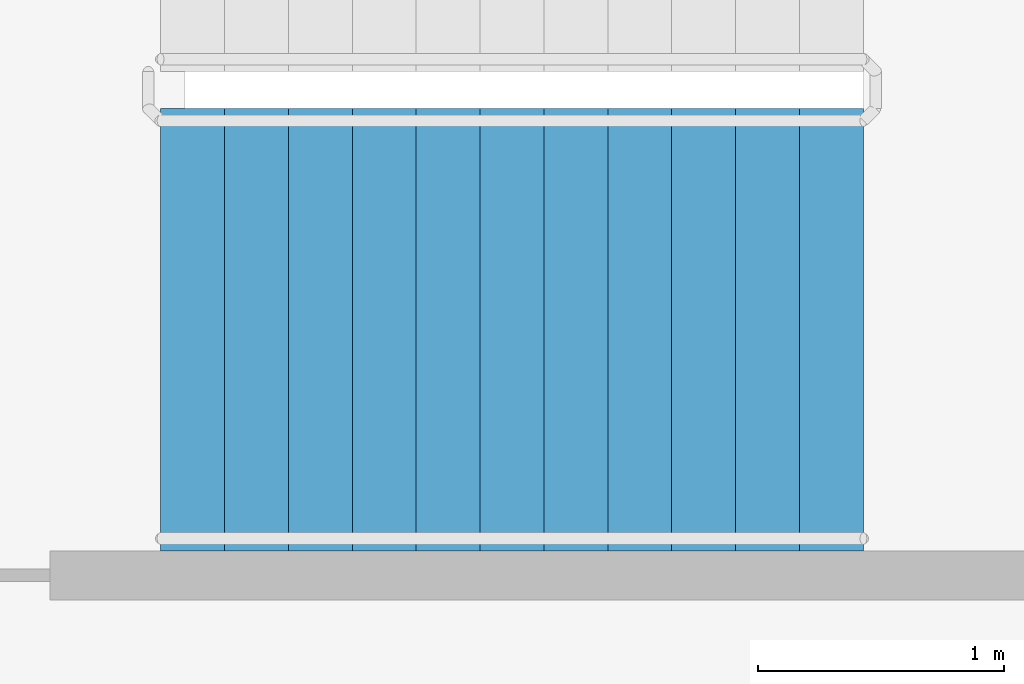
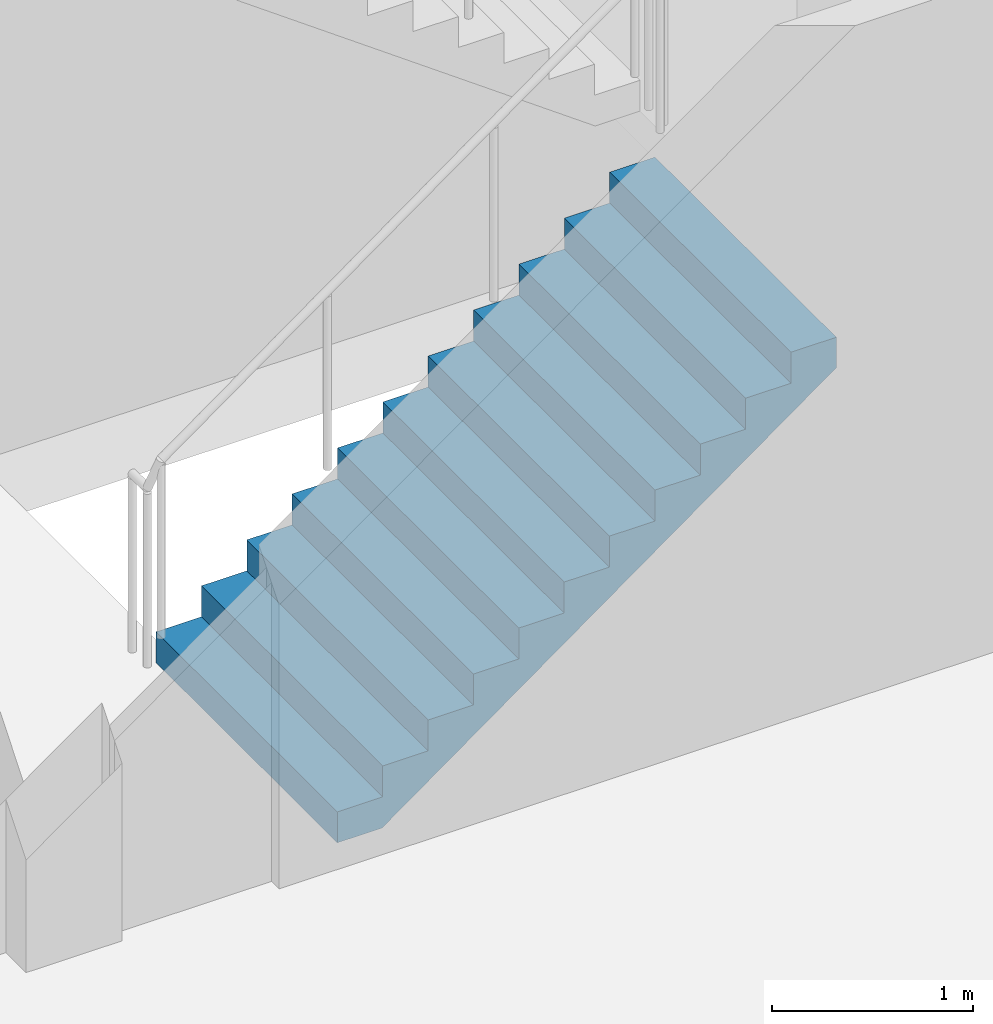
# One storey, part 34 of 49: 1 stair flight, 1 element without a shape of its own.
"""IFC4 building model written with IfcOpenShell, lengths in metres."""

import ifcopenshell
import ifcopenshell.guid

model = None  # the IFC model being written
_history = None  # IfcOwnerHistory: only IFC2X3 demands one
_inside = {}  # id of a spatial element -> (the spatial element, [elements in it])
_under = {}  # id of a project, library or spatial element -> (it, [spatial elements below it])
_declared = {}  # id of a project -> (the project, [libraries it declares])
_typed = {}  # id of a type object -> (the type object, [elements of that type])
_made_of = {}  # id of a material, layer set ... -> (it, [elements and type objects made of it])


def new_model(schema):
    """Start an empty IFC model of exactly this schema.

    Asked for "IFC4X3", IfcOpenShell would pick the latest addendum, in which some entities
    have other attributes; the version numbers below select the first issue.
    IFC2X3 requires an IfcOwnerHistory on every rooted entity: one is made here for all.
    """
    global model, _history
    if schema == "IFC4X3":
        model = ifcopenshell.file(schema_version=(4, 3, 0, 0))
    else:
        model = ifcopenshell.file(schema=schema)
    _inside.clear()
    _under.clear()
    _declared.clear()
    _typed.clear()
    _made_of.clear()
    _history = None
    if model.schema == "IFC2X3":
        org = make("IfcOrganization", Name="unknown")
        user = make(
            "IfcPersonAndOrganization",
            ThePerson=make("IfcPerson", FamilyName="unknown"),
            TheOrganization=org,
        )
        app = make(
            "IfcApplication",
            ApplicationDeveloper=org,
            Version="unknown",
            ApplicationFullName="unknown",
            ApplicationIdentifier="unknown",
        )
        _history = make(
            "IfcOwnerHistory",
            OwningUser=user,
            OwningApplication=app,
            ChangeAction="ADDED",
            CreationDate=0,
        )
    return model


def make(cls, **values):
    """One entity of the class cls with the attributes given. An attribute that is None is left unset."""
    return model.create_entity(
        cls, **{name: value for name, value in values.items() if value is not None}
    )


def rooted(cls, **values):
    """An entity with a GlobalId (a new one), such as an element, a storey or a relation."""
    return make(cls, GlobalId=ifcopenshell.guid.new(), OwnerHistory=_history, **values)


def si_unit(unit_type, name, prefix=None):
    """IfcSIUnit, for example si_unit("LENGTHUNIT", "METRE", prefix="MILLI")."""
    return make("IfcSIUnit", UnitType=unit_type, Prefix=prefix, Name=name)


def assignment(units):
    """IfcUnitAssignment: the units of a project."""
    return None if units is None else make("IfcUnitAssignment", Units=units)


def point(xyz):
    """IfcCartesianPoint."""
    return None if xyz is None else make("IfcCartesianPoint", Coordinates=xyz)


def direction(xyz):
    """IfcDirection."""
    return None if xyz is None else make("IfcDirection", DirectionRatios=xyz)


def frame(location, z_axis=None, x_axis=None):
    """IfcAxis2Placement3D, a coordinate frame: its origin and axes. An axis left out is left unset."""
    return make(
        "IfcAxis2Placement3D",
        Location=point(location),
        Axis=direction(z_axis),
        RefDirection=direction(x_axis),
    )


def origin():
    """The frame at (0, 0, 0) with its axes left unset."""
    return frame((0.0, 0.0, 0.0))


def place(relative_to, where):
    """IfcLocalPlacement: puts the frame where relative to a parent placement (None: the world)."""
    return make(
        "IfcLocalPlacement", PlacementRelTo=relative_to, RelativePlacement=where
    )


def context(
    kind, dimensions, precision=None, world=None, true_north=None, identifier=None
):
    """IfcGeometricRepresentationContext, for example the 3D "Model" context."""
    return make(
        "IfcGeometricRepresentationContext",
        ContextIdentifier=identifier,
        ContextType=kind,
        CoordinateSpaceDimension=dimensions,
        Precision=precision,
        WorldCoordinateSystem=world,
        TrueNorth=true_north,
    )


def subcontext(parent, identifier, kind, view, scale=None):
    """IfcGeometricRepresentationSubContext, for example "Body" below "Model"."""
    return make(
        "IfcGeometricRepresentationSubContext",
        ContextIdentifier=identifier,
        ContextType=kind,
        ParentContext=parent,
        TargetScale=scale,
        TargetView=view,
    )


def project(units=None, contexts=None):
    """IfcProject with its units and contexts."""
    return rooted(
        "IfcProject",
        Name="project",
        RepresentationContexts=contexts,
        UnitsInContext=assignment(units),
    )


def spatial(cls, under=None, at=None, **own):
    """A site, building, storey or space (cls), placed at a placement, below another one or the project."""
    s = rooted(cls, ObjectPlacement=at, **own)
    if under is not None:
        _under.setdefault(under.id(), (under, []))[1].append(s)
    return s


def faces_of(points, faces, orient=None, outer=None):
    """IfcFace entities. A face is a list of loops; a loop is a list of indices into points, from 0.

    orient and outer hold one flag for each loop. By default every Orientation is true, the
    first loop of a face is its IfcFaceOuterBound and the others are IfcFaceBound.
    """
    made = []
    for i, loops in enumerate(faces):
        bounds = []
        for j, loop in enumerate(loops):
            is_outer = j == 0 if outer is None else outer[i][j]
            bounds.append(
                make(
                    "IfcFaceOuterBound" if is_outer else "IfcFaceBound",
                    Bound=make("IfcPolyLoop", Polygon=[points[k] for k in loop]),
                    Orientation=True if orient is None else orient[i][j],
                )
            )
        made.append(make("IfcFace", Bounds=bounds))
    return made


def faceted_brep(points, faces, orient=None, outer=None, voids=None):
    """IfcFacetedBrep: a solid bounded by flat faces; with voids (closed shells), ...WithVoids."""
    shared = [point(p) for p in points]
    hull = make("IfcClosedShell", CfsFaces=faces_of(shared, faces, orient, outer))
    if voids is None:
        return make("IfcFacetedBrep", Outer=hull)
    return make(
        "IfcFacetedBrepWithVoids",
        Outer=hull,
        Voids=[
            make(cls, CfsFaces=faces_of(shared, fs, o, b)) for cls, fs, o, b in voids
        ],
    )


def shape(context_of_items, identifier, shape_type, items):
    """IfcShapeRepresentation: the items that make up one representation, for example the "Body"."""
    return make(
        "IfcShapeRepresentation",
        ContextOfItems=context_of_items,
        RepresentationIdentifier=identifier,
        RepresentationType=shape_type,
        Items=items,
    )


def material(Name=None, Category=None):
    """IfcMaterial."""
    return make("IfcMaterial", Name=Name, Category=Category)


def made_of(thing, what):
    """Note that an element or type object is made of a material, layer set ...; save() writes the relation."""
    if what is not None:
        _made_of.setdefault(what.id(), (what, []))[1].append(thing)
    return thing


def type_object(cls, material=None, **own):
    """A type object (cls), such as IfcWallType, which elements share."""
    return made_of(rooted(cls, **own), material)


def element(
    cls,
    number,
    at=None,
    inside=None,
    cuts=None,
    type_object=None,
    material=None,
    context=None,
    identifier="Body",
    shape_type=None,
    held_by="IfcProductDefinitionShape",
    body=None,
    shapes=None,
    **own,
):
    """One element of the class cls, such as IfcWall. Its Tag is "e" and its number.

    at: its placement. inside: the storey or other place that contains it. cuts: it is an
    opening in that element (IfcRelVoidsElement). A single representation is given by context,
    identifier, shape_type and body (its items); several are given by shapes. held_by: the class
    of the entity that holds the representations. save() writes the other relations.
    """
    e = rooted(cls, Tag="e%d" % number, ObjectPlacement=at, **own)
    if body is not None:
        shapes = [shape(context, identifier, shape_type, body)]
    if shapes is not None:
        e.Representation = make(held_by, Representations=shapes)
    if inside is not None:
        _inside.setdefault(inside.id(), (inside, []))[1].append(e)
    if cuts is not None:
        rooted(
            "IfcRelVoidsElement", RelatingBuildingElement=cuts, RelatedOpeningElement=e
        )
    if type_object is not None:
        _typed.setdefault(type_object.id(), (type_object, []))[1].append(e)
    return made_of(e, material)


def aggregate(whole, parts):
    """IfcRelAggregates: a whole, such as a stair, and the parts it consists of."""
    return rooted("IfcRelAggregates", RelatingObject=whole, RelatedObjects=parts)


def save(model, path):
    """Write the relations noted so far, then the file.

    IfcRelAggregates (storeys below a building ...), IfcRelContainedInSpatialStructure (elements
    in a storey), IfcRelDefinesByType, IfcRelAssociatesMaterial and IfcRelDeclares: one each for
    every whole, place, type object, material and project.
    """
    for whole, parts in _under.values():
        aggregate(whole, parts)
    for where, things in _inside.values():
        rooted(
            "IfcRelContainedInSpatialStructure",
            RelatedElements=things,
            RelatingStructure=where,
        )
    for kind, things in _typed.values():
        rooted("IfcRelDefinesByType", RelatedObjects=things, RelatingType=kind)
    for what, things in _made_of.values():
        rooted("IfcRelAssociatesMaterial", RelatedObjects=things, RelatingMaterial=what)
    for by, libraries in _declared.values():
        rooted("IfcRelDeclares", RelatingContext=by, RelatedDefinitions=libraries)
    model.write(path)


model = new_model("IFC4")

# Units and contexts
model_context = context("Model", 3, precision=1e-05, world=origin(), true_north=direction((0.0, 1.0)))
body_context = subcontext(model_context, "Body", "Model", "MODEL_VIEW")
ifc_project = project(units=[si_unit("LENGTHUNIT", "METRE"), si_unit("AREAUNIT", "SQUARE_METRE"), si_unit("VOLUMEUNIT", "CUBIC_METRE"), si_unit("PLANEANGLEUNIT", "RADIAN"), si_unit("MASSUNIT", "GRAM", prefix="KILO")], contexts=[model_context])

# Site, building, storey
site_placement = place(None, origin())
site = spatial("IfcSite", under=ifc_project, at=site_placement, CompositionType="ELEMENT")
building_placement = place(site_placement, origin())
building = spatial("IfcBuilding", under=site, at=building_placement, Name="Ipe Terrace Towers", CompositionType="ELEMENT")
storey_placement = place(building_placement, frame((0.0, 0.0, 20.0)))
storey = spatial("IfcBuildingStorey", under=building, at=storey_placement, Name="L04", CompositionType="ELEMENT", Elevation=20.0)

# Stair, stair flight
ifc_material_1 = material(Name="Concrete C30/37", Category="concrete")
stair_type = type_object("IfcStairType", Name="Protected exit stair", PredefinedType="HALF_TURN_STAIR", material=ifc_material_1)
stair_placement = place(storey_placement, origin())
stair = element("IfcStair", 1, at=stair_placement, inside=storey, type_object=stair_type, Name="L04 Podium exit stair PS5", PredefinedType="HALF_TURN_STAIR")
ifc_material_2 = material(Name="Concrete C30/37", Category="concrete")
stair_flight_type = type_object("IfcStairFlightType", Name="Exit stair flight 1800", PredefinedType="STRAIGHT", material=ifc_material_2)
stair_flight_placement = place(storey_placement, frame((-3.75, -22.5, 0.0), z_axis=(0.0, 0.0, 1.0), x_axis=(1.0, 0.0, 0.0)))
stair_flight = element("IfcStairFlight", 2, at=stair_flight_placement, type_object=stair_flight_type, Name="PS5 flight 1", NumberOfRisers=12, NumberOfTreads=11, PredefinedType="STRAIGHT", RiserHeight=0.1875, TreadLength=0.26, context=body_context, shape_type="Brep", body=[
    faceted_brep([(0.25634765625, -0.89990234375, 0.0), (2.860107421875, -0.89990234375, 1.877685546875), (2.860107421875, -0.89990234375, 2.0625), (2.60009765625, -0.89990234375, 2.0625), (2.60009765625, -0.89990234375, 1.875), (2.340087890625, -0.89990234375, 1.875), (2.340087890625, -0.89990234375, 1.6875), (2.080078125, -0.89990234375, 1.6875), (2.080078125, -0.89990234375, 1.5), (1.820068359375, -0.89990234375, 1.5), (1.820068359375, -0.89990234375, 1.3125), (1.56005859375, -0.89990234375, 1.3125), (1.56005859375, -0.89990234375, 1.125), (1.300048828125, -0.89990234375, 1.125), (1.300048828125, -0.89990234375, 0.9375), (1.0400390625, -0.89990234375, 0.9375), (1.0400390625, -0.89990234375, 0.75), (0.780029296875, -0.89990234375, 0.75), (0.780029296875, -0.89990234375, 0.5625), (0.52001953125, -0.89990234375, 0.5625), (0.52001953125, -0.89990234375, 0.375), (0.260009765625, -0.89990234375, 0.375), (0.260009765625, -0.89990234375, 0.1875), (0.0, -0.89990234375, 0.1875), (0.0, -0.89990234375, 0.0), (0.0, 0.89990234375, 0.0), (0.0, 0.89990234375, 0.1875), (0.260009765625, 0.89990234375, 0.1875), (0.260009765625, 0.89990234375, 0.375), (0.52001953125, 0.89990234375, 0.375), (0.52001953125, 0.89990234375, 0.5625), (0.780029296875, 0.89990234375, 0.5625), (0.780029296875, 0.89990234375, 0.75), (1.0400390625, 0.89990234375, 0.75), (1.0400390625, 0.89990234375, 0.9375), (1.300048828125, 0.89990234375, 0.9375), (1.300048828125, 0.89990234375, 1.125), (1.56005859375, 0.89990234375, 1.125), (1.56005859375, 0.89990234375, 1.3125), (1.820068359375, 0.89990234375, 1.3125), (1.820068359375, 0.89990234375, 1.5), (2.080078125, 0.89990234375, 1.5), (2.080078125, 0.89990234375, 1.6875), (2.340087890625, 0.89990234375, 1.6875), (2.340087890625, 0.89990234375, 1.875), (2.60009765625, 0.89990234375, 1.875), (2.60009765625, 0.89990234375, 2.0625), (2.860107421875, 0.89990234375, 2.0625), (2.860107421875, 0.89990234375, 1.877685546875), (0.25634765625, 0.89990234375, 0.0), (0.0, -0.300048828125, 0.1875), (0.0, -0.1201171875, 0.1875), (0.0, -0.06005859375, 0.1875), (0.0, -0.030029296875, 0.1875), (0.0, -0.010009765625, 0.1875), (0.0, 0.0, 0.1875), (0.0, 0.010009765625, 0.1875), (0.0, 0.030029296875, 0.1875), (0.0, 0.06005859375, 0.1875), (0.0, 0.1201171875, 0.1875), (0.0, 0.300048828125, 0.1875), (0.0, 0.300048828125, 0.0), (0.0, 0.1201171875, 0.0), (0.0, 0.06005859375, 0.0), (0.0, 0.030029296875, 0.0), (0.0, 0.010009765625, 0.0), (0.0, 0.0, 0.0), (0.0, -0.010009765625, 0.0), (0.0, -0.030029296875, 0.0), (0.0, -0.06005859375, 0.0), (0.0, -0.1201171875, 0.0), (0.0, -0.300048828125, 0.0), (0.260009765625, -0.300048828125, 0.1875), (0.260009765625, -0.1201171875, 0.1875), (0.260009765625, -0.06005859375, 0.1875), (0.260009765625, -0.030029296875, 0.1875), (0.260009765625, -0.010009765625, 0.1875), (0.260009765625, 0.0, 0.1875), (0.260009765625, 0.010009765625, 0.1875), (0.260009765625, 0.030029296875, 0.1875), (0.260009765625, 0.06005859375, 0.1875), (0.260009765625, 0.1201171875, 0.1875), (0.260009765625, 0.300048828125, 0.1875), (0.260009765625, -0.300048828125, 0.375), (0.260009765625, -0.1201171875, 0.375), (0.260009765625, -0.06005859375, 0.375), (0.260009765625, -0.030029296875, 0.375), (0.260009765625, -0.010009765625, 0.375), (0.260009765625, 0.0, 0.375), (0.260009765625, 0.010009765625, 0.375), (0.260009765625, 0.030029296875, 0.375), (0.260009765625, 0.06005859375, 0.375), (0.260009765625, 0.1201171875, 0.375), (0.260009765625, 0.300048828125, 0.375), (0.52001953125, -0.300048828125, 0.375), (0.52001953125, -0.1201171875, 0.375), (0.52001953125, -0.06005859375, 0.375), (0.52001953125, -0.030029296875, 0.375), (0.52001953125, -0.010009765625, 0.375), (0.52001953125, 0.0, 0.375), (0.52001953125, 0.010009765625, 0.375), (0.52001953125, 0.030029296875, 0.375), (0.52001953125, 0.06005859375, 0.375), (0.52001953125, 0.1201171875, 0.375), (0.52001953125, 0.300048828125, 0.375), (0.52001953125, -0.300048828125, 0.5625), (0.52001953125, -0.1201171875, 0.5625), (0.52001953125, -0.06005859375, 0.5625), (0.52001953125, -0.030029296875, 0.5625), (0.52001953125, -0.010009765625, 0.5625), (0.52001953125, 0.0, 0.5625), (0.52001953125, 0.010009765625, 0.5625), (0.52001953125, 0.030029296875, 0.5625), (0.52001953125, 0.06005859375, 0.5625), (0.52001953125, 0.1201171875, 0.5625), (0.52001953125, 0.300048828125, 0.5625), (0.780029296875, -0.300048828125, 0.5625), (0.780029296875, -0.1201171875, 0.5625), (0.780029296875, -0.06005859375, 0.5625), (0.780029296875, -0.030029296875, 0.5625), (0.780029296875, -0.010009765625, 0.5625), (0.780029296875, 0.0, 0.5625), (0.780029296875, 0.010009765625, 0.5625), (0.780029296875, 0.030029296875, 0.5625), (0.780029296875, 0.06005859375, 0.5625), (0.780029296875, 0.1201171875, 0.5625), (0.780029296875, 0.300048828125, 0.5625), (0.780029296875, -0.300048828125, 0.75), (0.780029296875, -0.1201171875, 0.75), (0.780029296875, -0.06005859375, 0.75), (0.780029296875, -0.030029296875, 0.75), (0.780029296875, -0.010009765625, 0.75), (0.780029296875, 0.0, 0.75), (0.780029296875, 0.010009765625, 0.75), (0.780029296875, 0.030029296875, 0.75), (0.780029296875, 0.06005859375, 0.75), (0.780029296875, 0.1201171875, 0.75), (0.780029296875, 0.300048828125, 0.75), (1.0400390625, -0.300048828125, 0.75), (1.0400390625, -0.1201171875, 0.75), (1.0400390625, -0.06005859375, 0.75), (1.0400390625, -0.030029296875, 0.75), (1.0400390625, -0.010009765625, 0.75), (1.0400390625, 0.0, 0.75), (1.0400390625, 0.010009765625, 0.75), (1.0400390625, 0.030029296875, 0.75), (1.0400390625, 0.06005859375, 0.75), (1.0400390625, 0.1201171875, 0.75), (1.0400390625, 0.300048828125, 0.75), (1.0400390625, -0.300048828125, 0.9375), (1.0400390625, -0.1201171875, 0.9375), (1.0400390625, -0.06005859375, 0.9375), (1.0400390625, -0.030029296875, 0.9375), (1.0400390625, -0.010009765625, 0.9375), (1.0400390625, 0.0, 0.9375), (1.0400390625, 0.010009765625, 0.9375), (1.0400390625, 0.030029296875, 0.9375), (1.0400390625, 0.06005859375, 0.9375), (1.0400390625, 0.1201171875, 0.9375), (1.0400390625, 0.300048828125, 0.9375), (1.300048828125, -0.300048828125, 0.9375), (1.300048828125, -0.1201171875, 0.9375), (1.300048828125, -0.06005859375, 0.9375), (1.300048828125, -0.030029296875, 0.9375), (1.300048828125, -0.010009765625, 0.9375), (1.300048828125, 0.0, 0.9375), (1.300048828125, 0.010009765625, 0.9375), (1.300048828125, 0.030029296875, 0.9375), (1.300048828125, 0.06005859375, 0.9375), (1.300048828125, 0.1201171875, 0.9375), (1.300048828125, 0.300048828125, 0.9375), (1.300048828125, -0.300048828125, 1.125), (1.300048828125, -0.1201171875, 1.125), (1.300048828125, -0.06005859375, 1.125), (1.300048828125, -0.030029296875, 1.125), (1.300048828125, -0.010009765625, 1.125), (1.300048828125, 0.0, 1.125), (1.300048828125, 0.010009765625, 1.125), (1.300048828125, 0.030029296875, 1.125), (1.300048828125, 0.06005859375, 1.125), (1.300048828125, 0.1201171875, 1.125), (1.300048828125, 0.300048828125, 1.125), (1.56005859375, -0.300048828125, 1.125), (1.56005859375, -0.1201171875, 1.125), (1.56005859375, -0.06005859375, 1.125), (1.56005859375, -0.030029296875, 1.125), (1.56005859375, -0.010009765625, 1.125), (1.56005859375, 0.0, 1.125), (1.56005859375, 0.010009765625, 1.125), (1.56005859375, 0.030029296875, 1.125), (1.56005859375, 0.06005859375, 1.125), (1.56005859375, 0.1201171875, 1.125), (1.56005859375, 0.300048828125, 1.125), (1.56005859375, -0.300048828125, 1.3125), (1.56005859375, -0.1201171875, 1.3125), (1.56005859375, -0.06005859375, 1.3125), (1.56005859375, -0.030029296875, 1.3125), (1.56005859375, -0.010009765625, 1.3125), (1.56005859375, 0.0, 1.3125), (1.56005859375, 0.010009765625, 1.3125), (1.56005859375, 0.030029296875, 1.3125), (1.56005859375, 0.06005859375, 1.3125), (1.56005859375, 0.1201171875, 1.3125), (1.56005859375, 0.300048828125, 1.3125), (1.820068359375, -0.300048828125, 1.3125), (1.820068359375, -0.1201171875, 1.3125), (1.820068359375, -0.06005859375, 1.3125), (1.820068359375, -0.030029296875, 1.3125), (1.820068359375, -0.010009765625, 1.3125), (1.820068359375, 0.0, 1.3125), (1.820068359375, 0.010009765625, 1.3125), (1.820068359375, 0.030029296875, 1.3125), (1.820068359375, 0.06005859375, 1.3125), (1.820068359375, 0.1201171875, 1.3125), (1.820068359375, 0.300048828125, 1.3125), (1.820068359375, -0.300048828125, 1.5), (1.820068359375, -0.1201171875, 1.5), (1.820068359375, -0.06005859375, 1.5), (1.820068359375, -0.030029296875, 1.5), (1.820068359375, -0.010009765625, 1.5), (1.820068359375, 0.0, 1.5), (1.820068359375, 0.010009765625, 1.5), (1.820068359375, 0.030029296875, 1.5), (1.820068359375, 0.06005859375, 1.5), (1.820068359375, 0.1201171875, 1.5), (1.820068359375, 0.300048828125, 1.5), (2.080078125, -0.300048828125, 1.5), (2.080078125, -0.1201171875, 1.5), (2.080078125, -0.06005859375, 1.5), (2.080078125, -0.030029296875, 1.5), (2.080078125, -0.010009765625, 1.5), (2.080078125, 0.0, 1.5), (2.080078125, 0.010009765625, 1.5), (2.080078125, 0.030029296875, 1.5), (2.080078125, 0.06005859375, 1.5), (2.080078125, 0.1201171875, 1.5), (2.080078125, 0.300048828125, 1.5), (2.080078125, -0.300048828125, 1.6875), (2.080078125, -0.1201171875, 1.6875), (2.080078125, -0.06005859375, 1.6875), (2.080078125, -0.030029296875, 1.6875), (2.080078125, -0.010009765625, 1.6875), (2.080078125, 0.0, 1.6875), (2.080078125, 0.010009765625, 1.6875), (2.080078125, 0.030029296875, 1.6875), (2.080078125, 0.06005859375, 1.6875), (2.080078125, 0.1201171875, 1.6875), (2.080078125, 0.300048828125, 1.6875), (2.340087890625, -0.300048828125, 1.6875), (2.340087890625, -0.1201171875, 1.6875), (2.340087890625, -0.06005859375, 1.6875), (2.340087890625, -0.030029296875, 1.6875), (2.340087890625, -0.010009765625, 1.6875), (2.340087890625, 0.0, 1.6875), (2.340087890625, 0.010009765625, 1.6875), (2.340087890625, 0.030029296875, 1.6875), (2.340087890625, 0.06005859375, 1.6875), (2.340087890625, 0.1201171875, 1.6875), (2.340087890625, 0.300048828125, 1.6875), (2.340087890625, -0.300048828125, 1.875), (2.340087890625, -0.1201171875, 1.875), (2.340087890625, -0.06005859375, 1.875), (2.340087890625, -0.030029296875, 1.875), (2.340087890625, -0.010009765625, 1.875), (2.340087890625, 0.0, 1.875), (2.340087890625, 0.010009765625, 1.875), (2.340087890625, 0.030029296875, 1.875), (2.340087890625, 0.06005859375, 1.875), (2.340087890625, 0.1201171875, 1.875), (2.340087890625, 0.300048828125, 1.875), (2.60009765625, -0.300048828125, 1.875), (2.60009765625, -0.1201171875, 1.875), (2.60009765625, -0.06005859375, 1.875), (2.60009765625, -0.030029296875, 1.875), (2.60009765625, -0.010009765625, 1.875), (2.60009765625, 0.0, 1.875), (2.60009765625, 0.010009765625, 1.875), (2.60009765625, 0.030029296875, 1.875), (2.60009765625, 0.06005859375, 1.875), (2.60009765625, 0.1201171875, 1.875), (2.60009765625, 0.300048828125, 1.875), (2.60009765625, -0.300048828125, 2.0625), (2.60009765625, -0.1201171875, 2.0625), (2.60009765625, -0.06005859375, 2.0625), (2.60009765625, -0.030029296875, 2.0625), (2.60009765625, -0.010009765625, 2.0625), (2.60009765625, 0.0, 2.0625), (2.60009765625, 0.010009765625, 2.0625), (2.60009765625, 0.030029296875, 2.0625), (2.60009765625, 0.06005859375, 2.0625), (2.60009765625, 0.1201171875, 2.0625), (2.60009765625, 0.300048828125, 2.0625), (2.860107421875, -0.300048828125, 2.0625), (2.860107421875, -0.1201171875, 2.0625), (2.860107421875, -0.06005859375, 2.0625), (2.860107421875, -0.030029296875, 2.0625), (2.860107421875, -0.010009765625, 2.0625), (2.860107421875, 0.0, 2.0625), (2.860107421875, 0.010009765625, 2.0625), (2.860107421875, 0.030029296875, 2.0625), (2.860107421875, 0.06005859375, 2.0625), (2.860107421875, 0.1201171875, 2.0625), (2.860107421875, 0.300048828125, 2.0625), (2.860107421875, -0.300048828125, 1.877685546875), (2.860107421875, -0.1201171875, 1.877685546875), (2.860107421875, -0.06005859375, 1.877685546875), (2.860107421875, -0.030029296875, 1.877685546875), (2.860107421875, -0.010009765625, 1.877685546875), (2.860107421875, 0.0, 1.877685546875), (2.860107421875, 0.010009765625, 1.877685546875), (2.860107421875, 0.030029296875, 1.877685546875), (2.860107421875, 0.06005859375, 1.877685546875), (2.860107421875, 0.1201171875, 1.877685546875), (2.860107421875, 0.300048828125, 1.877685546875), (0.25634765625, -0.300048828125, 0.0), (0.25634765625, -0.1201171875, 0.0), (0.25634765625, -0.06005859375, 0.0), (0.25634765625, -0.030029296875, 0.0), (0.25634765625, -0.010009765625, 0.0), (0.25634765625, 0.0, 0.0), (0.25634765625, 0.010009765625, 0.0), (0.25634765625, 0.030029296875, 0.0), (0.25634765625, 0.06005859375, 0.0), (0.25634765625, 0.1201171875, 0.0), (0.25634765625, 0.300048828125, 0.0)], [[[0, 1, 2, 3, 4, 5, 6, 7, 8, 9, 10, 11, 12, 13, 14, 15, 16, 17, 18, 19, 20, 21, 22, 23, 24]], [[25, 26, 27, 28, 29, 30, 31, 32, 33, 34, 35, 36, 37, 38, 39, 40, 41, 42, 43, 44, 45, 46, 47, 48, 49]], [[23, 50, 51, 52, 53, 54, 55, 56, 57, 58, 59, 60, 26, 25, 61, 62, 63, 64, 65, 66, 67, 68, 69, 70, 71, 24]], [[22, 72, 73, 74, 75, 76, 77, 78, 79, 80, 81, 82, 27, 26, 60, 59, 58, 57, 56, 55, 54, 53, 52, 51, 50, 23]], [[21, 83, 84, 85, 86, 87, 88, 89, 90, 91, 92, 93, 28, 27, 82, 81, 80, 79, 78, 77, 76, 75, 74, 73, 72, 22]], [[20, 94, 95, 96, 97, 98, 99, 100, 101, 102, 103, 104, 29, 28, 93, 92, 91, 90, 89, 88, 87, 86, 85, 84, 83, 21]], [[19, 105, 106, 107, 108, 109, 110, 111, 112, 113, 114, 115, 30, 29, 104, 103, 102, 101, 100, 99, 98, 97, 96, 95, 94, 20]], [[18, 116, 117, 118, 119, 120, 121, 122, 123, 124, 125, 126, 31, 30, 115, 114, 113, 112, 111, 110, 109, 108, 107, 106, 105, 19]], [[17, 127, 128, 129, 130, 131, 132, 133, 134, 135, 136, 137, 32, 31, 126, 125, 124, 123, 122, 121, 120, 119, 118, 117, 116, 18]], [[16, 138, 139, 140, 141, 142, 143, 144, 145, 146, 147, 148, 33, 32, 137, 136, 135, 134, 133, 132, 131, 130, 129, 128, 127, 17]], [[15, 149, 150, 151, 152, 153, 154, 155, 156, 157, 158, 159, 34, 33, 148, 147, 146, 145, 144, 143, 142, 141, 140, 139, 138, 16]], [[14, 160, 161, 162, 163, 164, 165, 166, 167, 168, 169, 170, 35, 34, 159, 158, 157, 156, 155, 154, 153, 152, 151, 150, 149, 15]], [[13, 171, 172, 173, 174, 175, 176, 177, 178, 179, 180, 181, 36, 35, 170, 169, 168, 167, 166, 165, 164, 163, 162, 161, 160, 14]], [[12, 182, 183, 184, 185, 186, 187, 188, 189, 190, 191, 192, 37, 36, 181, 180, 179, 178, 177, 176, 175, 174, 173, 172, 171, 13]], [[11, 193, 194, 195, 196, 197, 198, 199, 200, 201, 202, 203, 38, 37, 192, 191, 190, 189, 188, 187, 186, 185, 184, 183, 182, 12]], [[10, 204, 205, 206, 207, 208, 209, 210, 211, 212, 213, 214, 39, 38, 203, 202, 201, 200, 199, 198, 197, 196, 195, 194, 193, 11]], [[9, 215, 216, 217, 218, 219, 220, 221, 222, 223, 224, 225, 40, 39, 214, 213, 212, 211, 210, 209, 208, 207, 206, 205, 204, 10]], [[8, 226, 227, 228, 229, 230, 231, 232, 233, 234, 235, 236, 41, 40, 225, 224, 223, 222, 221, 220, 219, 218, 217, 216, 215, 9]], [[7, 237, 238, 239, 240, 241, 242, 243, 244, 245, 246, 247, 42, 41, 236, 235, 234, 233, 232, 231, 230, 229, 228, 227, 226, 8]], [[6, 248, 249, 250, 251, 252, 253, 254, 255, 256, 257, 258, 43, 42, 247, 246, 245, 244, 243, 242, 241, 240, 239, 238, 237, 7]], [[5, 259, 260, 261, 262, 263, 264, 265, 266, 267, 268, 269, 44, 43, 258, 257, 256, 255, 254, 253, 252, 251, 250, 249, 248, 6]], [[4, 270, 271, 272, 273, 274, 275, 276, 277, 278, 279, 280, 45, 44, 269, 268, 267, 266, 265, 264, 263, 262, 261, 260, 259, 5]], [[3, 281, 282, 283, 284, 285, 286, 287, 288, 289, 290, 291, 46, 45, 280, 279, 278, 277, 276, 275, 274, 273, 272, 271, 270, 4]], [[2, 292, 293, 294, 295, 296, 297, 298, 299, 300, 301, 302, 47, 46, 291, 290, 289, 288, 287, 286, 285, 284, 283, 282, 281, 3]], [[1, 303, 304, 305, 306, 307, 308, 309, 310, 311, 312, 313, 48, 47, 302, 301, 300, 299, 298, 297, 296, 295, 294, 293, 292, 2]], [[0, 314, 315, 316, 317, 318, 319, 320, 321, 322, 323, 324, 49, 48, 313, 312, 311, 310, 309, 308, 307, 306, 305, 304, 303, 1]], [[24, 71, 70, 69, 68, 67, 66, 65, 64, 63, 62, 61, 25, 49, 324, 323, 322, 321, 320, 319, 318, 317, 316, 315, 314, 0]]]),
])
aggregate(stair, [stair_flight])

save(model, "model.ifc")
